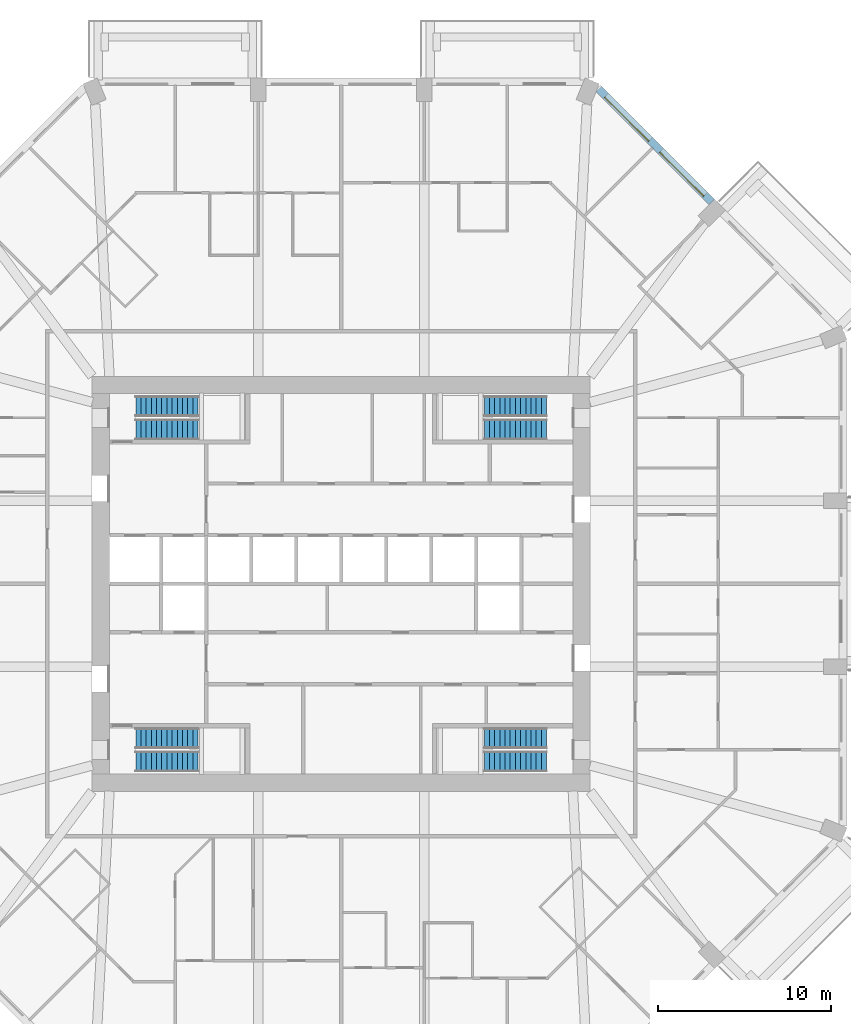
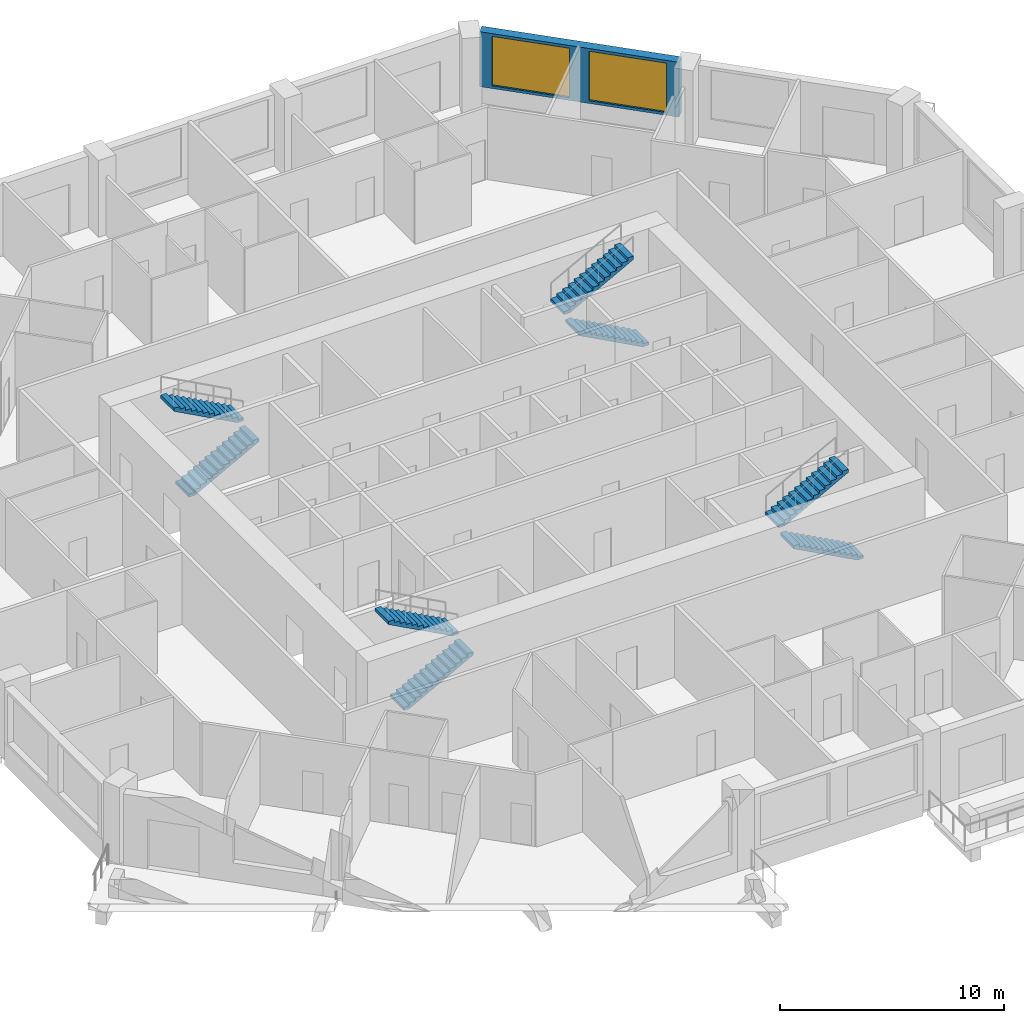
# One storey, part 11 of 13: 8 stair flights, 2 windows, 1 wall, 2 openings, 4 elements without a shape of their own.
"""IFC4 building model written with IfcOpenShell, lengths in metres."""

from ifc_helpers import new_model, si_unit, direction, frame, frame_2d, origin, place, context, subcontext, project, spatial, polyline, rectangle, outline, extrude, material, layer, layer_set, type_object, element, fill, aggregate, save


model = new_model("IFC4")

# Units and contexts
model_context = context("Model", 3, precision=1e-05, world=origin(), true_north=direction((0.0, 1.0)))
body_context = subcontext(model_context, "Body", "Model", "MODEL_VIEW")
ifc_project = project(units=[si_unit("LENGTHUNIT", "METRE"), si_unit("AREAUNIT", "SQUARE_METRE"), si_unit("VOLUMEUNIT", "CUBIC_METRE"), si_unit("PLANEANGLEUNIT", "RADIAN"), si_unit("MASSUNIT", "GRAM", prefix="KILO")], contexts=[model_context])

# Site, building, storey
site_placement = place(None, origin())
site = spatial("IfcSite", under=ifc_project, at=site_placement, CompositionType="ELEMENT")
building_placement = place(site_placement, origin())
building = spatial("IfcBuilding", under=site, at=building_placement, Name="Msitu Wima Residences", CompositionType="ELEMENT")
storey_placement = place(building_placement, frame((0.0, 0.0, 42.300048828125)))
storey = spatial("IfcBuildingStorey", under=building, at=storey_placement, Name="L09", CompositionType="ELEMENT", Elevation=42.300048828125)

# Wall, openings, windows
ifc_material_1 = material(Name="Brick (red buff mix)", Category="masonry")
ifc_layer = layer(ifc_material_1, 0.449951171875)
ifc_layer_set = layer_set([ifc_layer], Name="Brick (red buff mix)")
wall_type = type_object("IfcWallType", Name="Brick infill wall BW450", PredefinedType="SOLIDWALL", material=ifc_layer_set)
wall_placement = place(storey_placement, frame((21.44091796875, 22.077392578125, 0.89990234375), z_axis=(0.0, 0.0, 1.0), x_axis=(-0.707106781187, 0.707106781187, 0.0)))
wall = element("IfcWall", 1, at=wall_placement, inside=storey, type_object=wall_type, Name="Brick infill wall L09 NE1", PredefinedType="SOLIDWALL", context=body_context, shape_type="SweptSolid", body=[
    extrude(rectangle(XDim=9.2451171875, YDim=0.449951171875, at=frame_2d((4.62255859375, 0.0))), origin(), (0.0, 0.0, 1.0), 3.0),
])
opening_1_placement = place(wall_placement, frame((0.572509765625, 0.0, 0.14990234375)))
opening_1 = element("IfcOpeningElement", 2, at=opening_1_placement, cuts=wall, Name="Opening W08-10.011", PredefinedType="OPENING", context=body_context, shape_type="SweptSolid", body=[
    extrude(rectangle(XDim=3.60009765625, YDim=2.699951171875, at=frame_2d((1.800048828125, 1.35009765625))), frame((0.0, 0.23486328125, 0.0), z_axis=(0.0, -1.0, 0.0), x_axis=(1.0, 0.0, 0.0)), (0.0, 0.0, 1.0), 0.469970703125),
])
opening_2_placement = place(wall_placement, frame((5.072509765625, 0.0, 0.14990234375)))
opening_2 = element("IfcOpeningElement", 3, at=opening_2_placement, cuts=wall, Name="Opening W08-10.012", PredefinedType="OPENING", context=body_context, shape_type="SweptSolid", body=[
    extrude(rectangle(XDim=3.60009765625, YDim=2.699951171875, at=frame_2d((1.800048828125, 1.35009765625))), frame((0.0, 0.23486328125, 0.0), z_axis=(0.0, -1.0, 0.0), x_axis=(1.0, 0.0, 0.0)), (0.0, 0.0, 1.0), 0.469970703125),
])
ifc_material_2 = material(Name="Anodised aluminium, bronze finish, clear low-emissivity double glazing", Category="aluminium")
window_type = type_object("IfcWindowType", Name="Window W3600x2700", PartitioningType="DOUBLE_PANEL_VERTICAL", PredefinedType="WINDOW", material=ifc_material_2)
window_1_placement = place(opening_1_placement, origin())
window_1 = element("IfcWindow", 4, at=window_1_placement, inside=storey, type_object=window_type, Name="Window L09 NE1.1", OverallHeight=2.699951171875, OverallWidth=3.60009765625, PartitioningType="SINGLE_PANEL", PredefinedType="WINDOW", context=body_context, shape_type="SweptSolid", body=[
    extrude(rectangle(XDim=3.60009765625, YDim=2.699951171875, at=frame_2d((1.800048828125, 1.35009765625))), frame((0.0, 0.135009765625, 0.0), z_axis=(0.0, -1.0, 0.0), x_axis=(1.0, 0.0, 0.0)), (0.0, 0.0, 1.0), 0.06005859375),
])
fill(opening_1, window_1)
window_2_placement = place(opening_2_placement, origin())
window_2 = element("IfcWindow", 5, at=window_2_placement, inside=storey, type_object=window_type, Name="Window L09 NE1.2", OverallHeight=2.699951171875, OverallWidth=3.60009765625, PartitioningType="SINGLE_PANEL", PredefinedType="WINDOW", context=body_context, shape_type="SweptSolid", body=[
    extrude(rectangle(XDim=3.60009765625, YDim=2.699951171875, at=frame_2d((1.800048828125, 1.35009765625))), frame((0.0, 0.135009765625, 0.0), z_axis=(0.0, -1.0, 0.0), x_axis=(1.0, 0.0, 0.0)), (0.0, 0.0, 1.0), 0.06005859375),
])
fill(opening_2, window_2)

# Stair, stair flights
ifc_material_3 = material(Name="Concrete C40/50", Category="concrete")
stair_type = type_object("IfcStairType", Name="Exit stair ES1615-120", PredefinedType="HALF_TURN_STAIR", material=ifc_material_3)
stair_1_placement = place(storey_placement, origin())
stair_1 = element("IfcStair", 6, at=stair_1_placement, inside=storey, type_object=stair_type, Name="Exit stair 1", PredefinedType="HALF_TURN_STAIR")
stair_flight_type = type_object("IfcStairFlightType", Name="Exit stair flight ES1615-120", PredefinedType="STRAIGHT", material=ifc_material_3)
stair_flight_1_placement = place(storey_placement, frame((-11.875, 8.925048828125, 0.0), z_axis=(0.0, 0.0, 1.0), x_axis=(1.0, 0.0, 0.0)))
stair_flight_1 = element("IfcStairFlight", 7, at=stair_flight_1_placement, type_object=stair_flight_type, Name="S1 flight 1", NumberOfRisers=13, NumberOfTreads=12, PredefinedType="STRAIGHT", RiserHeight=0.161538462, TreadLength=0.3, context=body_context, shape_type="SweptSolid", body=[
    extrude(outline(polyline([(0.0, 0.0), (0.0, 0.16162109375), (0.300048828125, 0.16162109375), (0.300048828125, 0.322998046875), (0.60009765625, 0.322998046875), (0.60009765625, 0.484619140625), (0.89990234375, 0.484619140625), (0.89990234375, 0.646240234375), (1.199951171875, 0.646240234375), (1.199951171875, 0.8076171875), (1.5, 0.8076171875), (1.5, 0.96923828125), (1.800048828125, 0.96923828125), (1.800048828125, 1.130859375), (2.10009765625, 1.130859375), (2.10009765625, 1.292236328125), (2.39990234375, 1.292236328125), (2.39990234375, 1.453857421875), (2.699951171875, 1.453857421875), (2.699951171875, 1.615478515625), (3.0, 1.615478515625), (3.0, 1.77685546875), (3.300048828125, 1.77685546875), (3.300048828125, 1.9384765625), (3.60009765625, 1.9384765625), (3.60009765625, 2.10009765625), (3.60009765625, 1.768310546875), (0.316162109375, 0.0), (0.0, 0.0)])), frame((0.0, 0.60009765625, 0.0), z_axis=(0.0, -1.0, 0.0), x_axis=(1.0, 0.0, 0.0)), (0.0, 0.0, 1.0), 1.199951171875),
])
stair_flight_2_placement = place(storey_placement, frame((-8.27490234375, 10.27490234375, 2.099853515625), z_axis=(0.0, 0.0, 1.0), x_axis=(-1.0, 0.0, 0.0)))
stair_flight_2 = element("IfcStairFlight", 8, at=stair_flight_2_placement, type_object=stair_flight_type, Name="S1 flight 2", NumberOfRisers=13, NumberOfTreads=12, PredefinedType="STRAIGHT", RiserHeight=0.161538462, TreadLength=0.3, context=body_context, shape_type="SweptSolid", body=[
    extrude(outline(polyline([(0.0, 0.0), (0.0, 0.16162109375), (0.300048828125, 0.16162109375), (0.300048828125, 0.322998046875), (0.60009765625, 0.322998046875), (0.60009765625, 0.484619140625), (0.89990234375, 0.484619140625), (0.89990234375, 0.646240234375), (1.199951171875, 0.646240234375), (1.199951171875, 0.8076171875), (1.5, 0.8076171875), (1.5, 0.96923828125), (1.800048828125, 0.96923828125), (1.800048828125, 1.130859375), (2.10009765625, 1.130859375), (2.10009765625, 1.292236328125), (2.39990234375, 1.292236328125), (2.39990234375, 1.453857421875), (2.699951171875, 1.453857421875), (2.699951171875, 1.615478515625), (3.0, 1.615478515625), (3.0, 1.77685546875), (3.300048828125, 1.77685546875), (3.300048828125, 1.9384765625), (3.60009765625, 1.9384765625), (3.60009765625, 2.10009765625), (3.60009765625, 1.768310546875), (0.316162109375, 0.0), (0.0, 0.0)])), frame((0.0, 0.60009765625, 0.0), z_axis=(0.0, -1.0, 0.0), x_axis=(1.0, 0.0, 0.0)), (0.0, 0.0, 1.0), 1.199951171875),
])
aggregate(stair_1, [stair_flight_1, stair_flight_2])

stair_2_placement = place(storey_placement, origin())
stair_2 = element("IfcStair", 9, at=stair_2_placement, inside=storey, type_object=stair_type, Name="Exit stair 2", PredefinedType="HALF_TURN_STAIR")
stair_flight_3_placement = place(storey_placement, frame((-11.875, -10.27490234375, 0.0), z_axis=(0.0, 0.0, 1.0), x_axis=(1.0, 0.0, 0.0)))
stair_flight_3 = element("IfcStairFlight", 10, at=stair_flight_3_placement, type_object=stair_flight_type, Name="S2 flight 1", NumberOfRisers=13, NumberOfTreads=12, PredefinedType="STRAIGHT", RiserHeight=0.161538462, TreadLength=0.3, context=body_context, shape_type="SweptSolid", body=[
    extrude(outline(polyline([(0.0, 0.0), (0.0, 0.16162109375), (0.300048828125, 0.16162109375), (0.300048828125, 0.322998046875), (0.60009765625, 0.322998046875), (0.60009765625, 0.484619140625), (0.89990234375, 0.484619140625), (0.89990234375, 0.646240234375), (1.199951171875, 0.646240234375), (1.199951171875, 0.8076171875), (1.5, 0.8076171875), (1.5, 0.96923828125), (1.800048828125, 0.96923828125), (1.800048828125, 1.130859375), (2.10009765625, 1.130859375), (2.10009765625, 1.292236328125), (2.39990234375, 1.292236328125), (2.39990234375, 1.453857421875), (2.699951171875, 1.453857421875), (2.699951171875, 1.615478515625), (3.0, 1.615478515625), (3.0, 1.77685546875), (3.300048828125, 1.77685546875), (3.300048828125, 1.9384765625), (3.60009765625, 1.9384765625), (3.60009765625, 2.10009765625), (3.60009765625, 1.768310546875), (0.316162109375, 0.0), (0.0, 0.0)])), frame((0.0, 0.60009765625, 0.0), z_axis=(0.0, -1.0, 0.0), x_axis=(1.0, 0.0, 0.0)), (0.0, 0.0, 1.0), 1.199951171875),
])
stair_flight_4_placement = place(storey_placement, frame((-8.27490234375, -8.925048828125, 2.099853515625), z_axis=(0.0, 0.0, 1.0), x_axis=(-1.0, 0.0, 0.0)))
stair_flight_4 = element("IfcStairFlight", 11, at=stair_flight_4_placement, type_object=stair_flight_type, Name="S2 flight 2", NumberOfRisers=13, NumberOfTreads=12, PredefinedType="STRAIGHT", RiserHeight=0.161538462, TreadLength=0.3, context=body_context, shape_type="SweptSolid", body=[
    extrude(outline(polyline([(0.0, 0.0), (0.0, 0.16162109375), (0.300048828125, 0.16162109375), (0.300048828125, 0.322998046875), (0.60009765625, 0.322998046875), (0.60009765625, 0.484619140625), (0.89990234375, 0.484619140625), (0.89990234375, 0.646240234375), (1.199951171875, 0.646240234375), (1.199951171875, 0.8076171875), (1.5, 0.8076171875), (1.5, 0.96923828125), (1.800048828125, 0.96923828125), (1.800048828125, 1.130859375), (2.10009765625, 1.130859375), (2.10009765625, 1.292236328125), (2.39990234375, 1.292236328125), (2.39990234375, 1.453857421875), (2.699951171875, 1.453857421875), (2.699951171875, 1.615478515625), (3.0, 1.615478515625), (3.0, 1.77685546875), (3.300048828125, 1.77685546875), (3.300048828125, 1.9384765625), (3.60009765625, 1.9384765625), (3.60009765625, 2.10009765625), (3.60009765625, 1.768310546875), (0.316162109375, 0.0), (0.0, 0.0)])), frame((0.0, 0.60009765625, 0.0), z_axis=(0.0, -1.0, 0.0), x_axis=(1.0, 0.0, 0.0)), (0.0, 0.0, 1.0), 1.199951171875),
])
aggregate(stair_2, [stair_flight_3, stair_flight_4])

stair_3_placement = place(storey_placement, origin())
stair_3 = element("IfcStair", 12, at=stair_3_placement, inside=storey, type_object=stair_type, Name="Exit stair 3", PredefinedType="HALF_TURN_STAIR")
stair_flight_5_placement = place(storey_placement, frame((11.875, 8.925048828125, 0.0), z_axis=(0.0, 0.0, 1.0), x_axis=(-1.0, 0.0, 0.0)))
stair_flight_5 = element("IfcStairFlight", 13, at=stair_flight_5_placement, type_object=stair_flight_type, Name="S3 flight 1", NumberOfRisers=13, NumberOfTreads=12, PredefinedType="STRAIGHT", RiserHeight=0.161538462, TreadLength=0.3, context=body_context, shape_type="SweptSolid", body=[
    extrude(outline(polyline([(0.0, 0.0), (0.0, 0.16162109375), (0.300048828125, 0.16162109375), (0.300048828125, 0.322998046875), (0.60009765625, 0.322998046875), (0.60009765625, 0.484619140625), (0.89990234375, 0.484619140625), (0.89990234375, 0.646240234375), (1.199951171875, 0.646240234375), (1.199951171875, 0.8076171875), (1.5, 0.8076171875), (1.5, 0.96923828125), (1.800048828125, 0.96923828125), (1.800048828125, 1.130859375), (2.10009765625, 1.130859375), (2.10009765625, 1.292236328125), (2.39990234375, 1.292236328125), (2.39990234375, 1.453857421875), (2.699951171875, 1.453857421875), (2.699951171875, 1.615478515625), (3.0, 1.615478515625), (3.0, 1.77685546875), (3.300048828125, 1.77685546875), (3.300048828125, 1.9384765625), (3.60009765625, 1.9384765625), (3.60009765625, 2.10009765625), (3.60009765625, 1.768310546875), (0.316162109375, 0.0), (0.0, 0.0)])), frame((0.0, 0.60009765625, 0.0), z_axis=(0.0, -1.0, 0.0), x_axis=(1.0, 0.0, 0.0)), (0.0, 0.0, 1.0), 1.199951171875),
])
stair_flight_6_placement = place(storey_placement, frame((8.27490234375, 10.27490234375, 2.099853515625), z_axis=(0.0, 0.0, 1.0), x_axis=(1.0, 0.0, 0.0)))
stair_flight_6 = element("IfcStairFlight", 14, at=stair_flight_6_placement, type_object=stair_flight_type, Name="S3 flight 2", NumberOfRisers=13, NumberOfTreads=12, PredefinedType="STRAIGHT", RiserHeight=0.161538462, TreadLength=0.3, context=body_context, shape_type="SweptSolid", body=[
    extrude(outline(polyline([(0.0, 0.0), (0.0, 0.16162109375), (0.300048828125, 0.16162109375), (0.300048828125, 0.322998046875), (0.60009765625, 0.322998046875), (0.60009765625, 0.484619140625), (0.89990234375, 0.484619140625), (0.89990234375, 0.646240234375), (1.199951171875, 0.646240234375), (1.199951171875, 0.8076171875), (1.5, 0.8076171875), (1.5, 0.96923828125), (1.800048828125, 0.96923828125), (1.800048828125, 1.130859375), (2.10009765625, 1.130859375), (2.10009765625, 1.292236328125), (2.39990234375, 1.292236328125), (2.39990234375, 1.453857421875), (2.699951171875, 1.453857421875), (2.699951171875, 1.615478515625), (3.0, 1.615478515625), (3.0, 1.77685546875), (3.300048828125, 1.77685546875), (3.300048828125, 1.9384765625), (3.60009765625, 1.9384765625), (3.60009765625, 2.10009765625), (3.60009765625, 1.768310546875), (0.316162109375, 0.0), (0.0, 0.0)])), frame((0.0, 0.60009765625, 0.0), z_axis=(0.0, -1.0, 0.0), x_axis=(1.0, 0.0, 0.0)), (0.0, 0.0, 1.0), 1.199951171875),
])
aggregate(stair_3, [stair_flight_5, stair_flight_6])

stair_4_placement = place(storey_placement, origin())
stair_4 = element("IfcStair", 15, at=stair_4_placement, inside=storey, type_object=stair_type, Name="Exit stair 4", PredefinedType="HALF_TURN_STAIR")
stair_flight_7_placement = place(storey_placement, frame((11.875, -10.27490234375, 0.0), z_axis=(0.0, 0.0, 1.0), x_axis=(-1.0, 0.0, 0.0)))
stair_flight_7 = element("IfcStairFlight", 16, at=stair_flight_7_placement, type_object=stair_flight_type, Name="S4 flight 1", NumberOfRisers=13, NumberOfTreads=12, PredefinedType="STRAIGHT", RiserHeight=0.161538462, TreadLength=0.3, context=body_context, shape_type="SweptSolid", body=[
    extrude(outline(polyline([(0.0, 0.0), (0.0, 0.16162109375), (0.300048828125, 0.16162109375), (0.300048828125, 0.322998046875), (0.60009765625, 0.322998046875), (0.60009765625, 0.484619140625), (0.89990234375, 0.484619140625), (0.89990234375, 0.646240234375), (1.199951171875, 0.646240234375), (1.199951171875, 0.8076171875), (1.5, 0.8076171875), (1.5, 0.96923828125), (1.800048828125, 0.96923828125), (1.800048828125, 1.130859375), (2.10009765625, 1.130859375), (2.10009765625, 1.292236328125), (2.39990234375, 1.292236328125), (2.39990234375, 1.453857421875), (2.699951171875, 1.453857421875), (2.699951171875, 1.615478515625), (3.0, 1.615478515625), (3.0, 1.77685546875), (3.300048828125, 1.77685546875), (3.300048828125, 1.9384765625), (3.60009765625, 1.9384765625), (3.60009765625, 2.10009765625), (3.60009765625, 1.768310546875), (0.316162109375, 0.0), (0.0, 0.0)])), frame((0.0, 0.60009765625, 0.0), z_axis=(0.0, -1.0, 0.0), x_axis=(1.0, 0.0, 0.0)), (0.0, 0.0, 1.0), 1.199951171875),
])
stair_flight_8_placement = place(storey_placement, frame((8.27490234375, -8.925048828125, 2.099853515625), z_axis=(0.0, 0.0, 1.0), x_axis=(1.0, 0.0, 0.0)))
stair_flight_8 = element("IfcStairFlight", 17, at=stair_flight_8_placement, type_object=stair_flight_type, Name="S4 flight 2", NumberOfRisers=13, NumberOfTreads=12, PredefinedType="STRAIGHT", RiserHeight=0.161538462, TreadLength=0.3, context=body_context, shape_type="SweptSolid", body=[
    extrude(outline(polyline([(0.0, 0.0), (0.0, 0.16162109375), (0.300048828125, 0.16162109375), (0.300048828125, 0.322998046875), (0.60009765625, 0.322998046875), (0.60009765625, 0.484619140625), (0.89990234375, 0.484619140625), (0.89990234375, 0.646240234375), (1.199951171875, 0.646240234375), (1.199951171875, 0.8076171875), (1.5, 0.8076171875), (1.5, 0.96923828125), (1.800048828125, 0.96923828125), (1.800048828125, 1.130859375), (2.10009765625, 1.130859375), (2.10009765625, 1.292236328125), (2.39990234375, 1.292236328125), (2.39990234375, 1.453857421875), (2.699951171875, 1.453857421875), (2.699951171875, 1.615478515625), (3.0, 1.615478515625), (3.0, 1.77685546875), (3.300048828125, 1.77685546875), (3.300048828125, 1.9384765625), (3.60009765625, 1.9384765625), (3.60009765625, 2.10009765625), (3.60009765625, 1.768310546875), (0.316162109375, 0.0), (0.0, 0.0)])), frame((0.0, 0.60009765625, 0.0), z_axis=(0.0, -1.0, 0.0), x_axis=(1.0, 0.0, 0.0)), (0.0, 0.0, 1.0), 1.199951171875),
])
aggregate(stair_4, [stair_flight_7, stair_flight_8])

save(model, "model.ifc")
